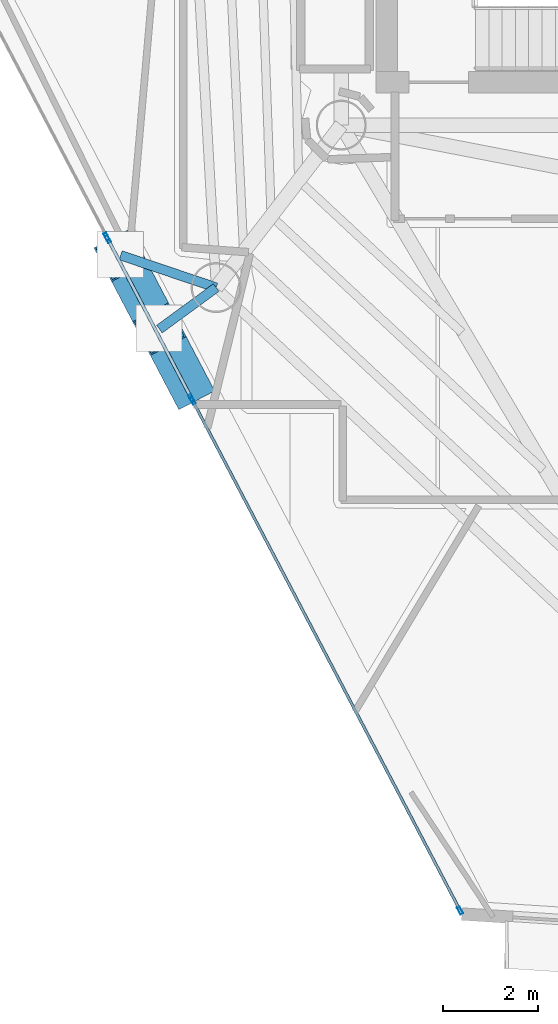
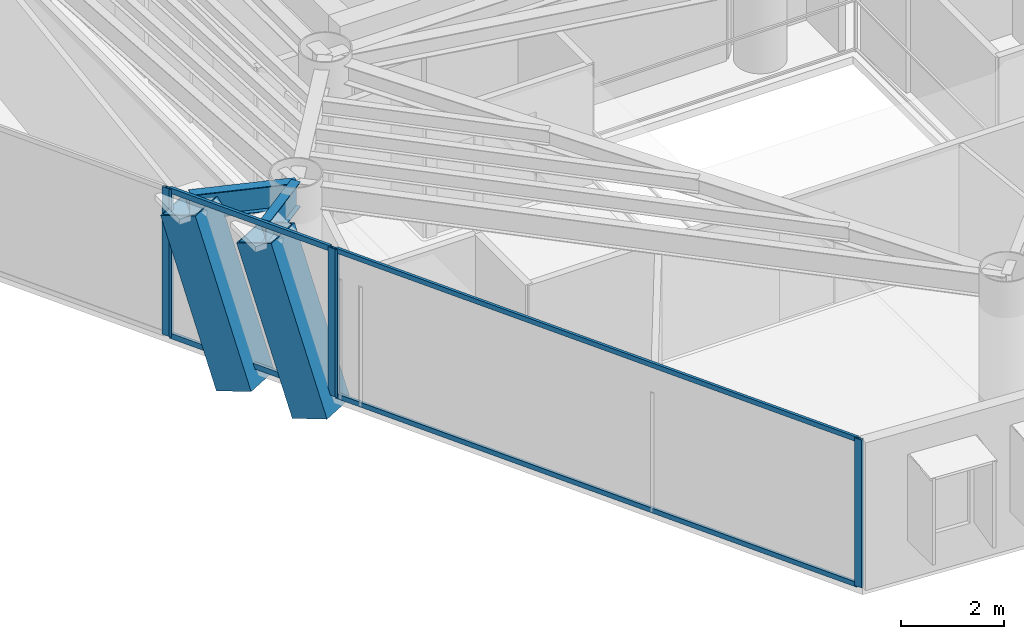
# One storey, part 2 of 18: 11 members, 2 beams, 3 elements without a shape of their own.
"""IFC4 building model written with IfcOpenShell, lengths in metres."""

from ifc_helpers import new_model, si_unit, direction, frame, origin, origin_2d, place, context, subcontext, project, spatial, hollow_rectangle, i_section, extrude, material, layer, layer_set, material_profile, profile_set, type_object, element, aggregate, save


model = new_model("IFC4")

# Units and contexts
model_context = context("Model", 3, precision=1e-05, world=origin(), true_north=direction((0.0, 1.0)))
body_context = subcontext(model_context, "Body", "Model", "MODEL_VIEW")
ifc_project = project(units=[si_unit("LENGTHUNIT", "METRE"), si_unit("AREAUNIT", "SQUARE_METRE"), si_unit("VOLUMEUNIT", "CUBIC_METRE"), si_unit("PLANEANGLEUNIT", "RADIAN"), si_unit("MASSUNIT", "GRAM", prefix="KILO")], contexts=[model_context])

# Site, building, storey
site_placement = place(None, origin())
site = spatial("IfcSite", under=ifc_project, at=site_placement, CompositionType="ELEMENT")
building_placement = place(site_placement, origin())
building = spatial("IfcBuilding", under=site, at=building_placement, Name="Qianvela Tower", CompositionType="ELEMENT")
storey_placement = place(building_placement, frame((0.0, 0.0, 264.89990234375)))
storey = spatial("IfcBuildingStorey", under=building, at=storey_placement, Name="L68", CompositionType="ELEMENT", Elevation=264.89990234375)

# Beams
ifc_material_1 = material(Name="Steel Q355B", Category="steel")
ifc_material_profile_1 = material_profile(ifc_material_1, i_section(OverallWidth=0.199951171875, OverallDepth=0.60009765625, WebThickness=0.010986328125, FlangeThickness=0.01708984375, at=origin_2d()), Name="HN600x200x11x17")
ifc_profile_set_1 = profile_set([ifc_material_profile_1], Name="Steel Q355B")
beam_type = type_object("IfcBeamType", Name="BM-HN600-GIRD", PredefinedType="BEAM", material=ifc_profile_set_1)
beam_1_placement = place(storey_placement, frame((25.971923828125, 20.43701171875, 3.218017578125), z_axis=(-0.947267135408, 0.320444962787, 0.0), x_axis=(-0.320444962787, -0.947267135408, 0.0)))
element("IfcBeam", 1, at=beam_1_placement, inside=storey, type_object=beam_type, Name="L68 Mega-Brace Column Tie Bracket F2-1", PredefinedType="BEAM", context=body_context, shape_type="SweptSolid", body=[
    extrude(i_section(OverallWidth=0.199951171875, OverallDepth=0.60009765625, WebThickness=0.010986328125, FlangeThickness=0.01708984375, at=origin_2d()), origin(), (0.0, 0.0, 1.0), 2.1171875),
])
beam_2_placement = place(storey_placement, frame((25.971923828125, 20.43701171875, 3.218017578125), z_axis=(-0.806536335226, -0.591184522767, 0.0), x_axis=(0.591184522767, -0.806536335226, 0.0)))
element("IfcBeam", 2, at=beam_2_placement, inside=storey, type_object=beam_type, Name="L68 Mega-Brace Column Tie Bracket F2-2", PredefinedType="BEAM", context=body_context, shape_type="SweptSolid", body=[
    extrude(i_section(OverallWidth=0.199951171875, OverallDepth=0.60009765625, WebThickness=0.010986328125, FlangeThickness=0.01708984375, at=origin_2d()), origin(), (0.0, 0.0, 1.0), 1.477294921875),
])

# Curtain wall, members
ifc_material_2 = material(Name="Anodised Architectural Aluminium and Insulated Spandrel Panel", Category="aluminium")
ifc_layer_1 = layer(ifc_material_2, 0.179931640625)
ifc_layer_set_1 = layer_set([ifc_layer_1], Name="Anodised Architectural Aluminium and Insulated Spandrel Panel")
curtain_wall_type_1 = type_object("IfcCurtainWallType", Name="CW-BRACEBAY", PredefinedType="USERDEFINED", material=ifc_layer_set_1)
curtain_wall_1_placement = place(storey_placement, origin())
curtain_wall_1 = element("IfcCurtainWall", 3, at=curtain_wall_1_placement, inside=storey, type_object=curtain_wall_type_1, Name="L68 CW-BRACEBAY Curtain Wall 04B", ObjectType="CURTAIN_WALL_SYSTEM", PredefinedType="USERDEFINED")
ifc_material_3 = material(Name="Anodised Architectural Aluminium 6063-T6", Category="aluminium")
ifc_material_profile_2 = material_profile(ifc_material_3, hollow_rectangle(XDim=0.06494140625, YDim=0.159912109375, WallThickness=0.0048828125, at=origin_2d()), Name="ALU-MULL-65x160")
ifc_profile_set_2 = profile_set([ifc_material_profile_2], Name="Anodised Architectural Aluminium 6063-T6")
member_type_1 = type_object("IfcMemberType", Name="CW-BRACEBAY-MULL", PredefinedType="MULLION", material=ifc_profile_set_2)
member_1_placement = place(storey_placement, frame((23.69921875, 21.452880859375, 0.0), z_axis=(0.0, 0.0, 1.0), x_axis=(0.885547225342, 0.464549364104, 0.0)))
member_1 = element("IfcMember", 4, at=member_1_placement, type_object=member_type_1, Name="CW-9 mullion 1", PredefinedType="MULLION", context=body_context, shape_type="SweptSolid", body=[
    extrude(hollow_rectangle(XDim=0.06494140625, YDim=0.159912109375, WallThickness=0.0048828125, at=origin_2d()), origin(), (0.0, 0.0, 1.0), 3.52001953125),
])
member_2_placement = place(storey_placement, frame((25.447998046875, 18.118896484375, 0.0), z_axis=(0.0, 0.0, 1.0), x_axis=(0.885547225342, 0.464549364104, 0.0)))
member_2 = element("IfcMember", 5, at=member_2_placement, type_object=member_type_1, Name="CW-9 mullion 2", PredefinedType="MULLION", context=body_context, shape_type="SweptSolid", body=[
    extrude(hollow_rectangle(XDim=0.06494140625, YDim=0.159912109375, WallThickness=0.0048828125, at=origin_2d()), origin(), (0.0, 0.0, 1.0), 3.52001953125),
])
ifc_material_4 = material(Name="Anodised Architectural Aluminium 6063-T6", Category="aluminium")
ifc_material_profile_3 = material_profile(ifc_material_4, hollow_rectangle(XDim=0.06494140625, YDim=0.1298828125, WallThickness=0.00439453125, at=origin_2d()), Name="ALU-TRAN-65x130")
ifc_profile_set_3 = profile_set([ifc_material_profile_3], Name="Anodised Architectural Aluminium 6063-T6")
member_type_2 = type_object("IfcMemberType", Name="CW-BRACEBAY-TRAN", PredefinedType="USERDEFINED", material=ifc_profile_set_3)
member_3_placement = place(storey_placement, frame((23.714111328125, 21.424072265625, 0.03271484375), z_axis=(0.464601108433, -0.885520078848, 0.0), x_axis=(0.885520078848, 0.464601108433, 0.0)))
member_3 = element("IfcMember", 6, at=member_3_placement, type_object=member_type_2, Name="CW-9 transom 1.1", ObjectType="TRANSOM", PredefinedType="USERDEFINED", context=body_context, shape_type="SweptSolid", body=[
    extrude(hollow_rectangle(XDim=0.06494140625, YDim=0.1298828125, WallThickness=0.00439453125, at=origin_2d()), origin(), (0.0, 0.0, 1.0), 3.699951171875),
])
member_4_placement = place(storey_placement, frame((23.714111328125, 21.424072265625, 3.487548828125), z_axis=(0.464601108433, -0.885520078848, 0.0), x_axis=(0.885520078848, 0.464601108433, 0.0)))
member_4 = element("IfcMember", 7, at=member_4_placement, type_object=member_type_2, Name="CW-9 transom 1.2", ObjectType="TRANSOM", PredefinedType="USERDEFINED", context=body_context, shape_type="SweptSolid", body=[
    extrude(hollow_rectangle(XDim=0.06494140625, YDim=0.1298828125, WallThickness=0.00439453125, at=origin_2d()), origin(), (0.0, 0.0, 1.0), 3.699951171875),
])
aggregate(curtain_wall_1, [member_1, member_2, member_3, member_4])

# Curtain wall, member
ifc_material_5 = material(Name="Anodised Architectural Aluminium and Low-E Glass", Category="aluminium")
ifc_layer_2 = layer(ifc_material_5, 0.159912109375)
ifc_layer_set_2 = layer_set([ifc_layer_2], Name="Anodised Architectural Aluminium and Low-E Glass")
curtain_wall_type_2 = type_object("IfcCurtainWallType", Name="CW-COLIV-Z56", PredefinedType="USERDEFINED", material=ifc_layer_set_2)
curtain_wall_2_placement = place(storey_placement, origin())
curtain_wall_2 = element("IfcCurtainWall", 8, at=curtain_wall_2_placement, inside=storey, type_object=curtain_wall_type_2, Name="L68 CW-COLIV-Z56 Curtain Wall 04A", ObjectType="CURTAIN_WALL_SYSTEM", PredefinedType="USERDEFINED")
ifc_material_6 = material(Name="Anodised Architectural Aluminium 6063-T6", Category="aluminium")
ifc_material_profile_4 = material_profile(ifc_material_6, hollow_rectangle(XDim=0.06494140625, YDim=0.159912109375, WallThickness=0.0048828125, at=origin_2d()), Name="ALU-MULL-65x160")
ifc_profile_set_4 = profile_set([ifc_material_profile_4], Name="Anodised Architectural Aluminium 6063-T6")
member_type_3 = type_object("IfcMemberType", Name="CW-COLIV-Z56-MULL", PredefinedType="MULLION", material=ifc_profile_set_4)
member_5_placement = place(storey_placement, frame((23.6689453125, 21.510498046875, 0.0), z_axis=(0.0, 0.0, 1.0), x_axis=(0.885555322761, 0.464533928071, 0.0)))
member_5 = element("IfcMember", 9, at=member_5_placement, type_object=member_type_3, Name="CW-5 mullion 2", PredefinedType="MULLION", context=body_context, shape_type="SweptSolid", body=[
    extrude(hollow_rectangle(XDim=0.06494140625, YDim=0.159912109375, WallThickness=0.0048828125, at=origin_2d()), origin(), (0.0, 0.0, 1.0), 3.52001953125),
])
aggregate(curtain_wall_2, [member_5])

# Curtain wall, members
curtain_wall_3_placement = place(storey_placement, origin())
curtain_wall_3 = element("IfcCurtainWall", 10, at=curtain_wall_3_placement, inside=storey, type_object=curtain_wall_type_2, Name="L68 CW-COLIV-Z56 Curtain Wall 04C", ObjectType="CURTAIN_WALL_SYSTEM", PredefinedType="USERDEFINED")
member_6_placement = place(storey_placement, frame((25.478271484375, 18.061279296875, 0.0), z_axis=(0.0, 0.0, 1.0), x_axis=(0.885554765579, 0.464534990244, 0.0)))
member_6 = element("IfcMember", 11, at=member_6_placement, type_object=member_type_3, Name="CW-5 mullion 1", PredefinedType="MULLION", context=body_context, shape_type="SweptSolid", body=[
    extrude(hollow_rectangle(XDim=0.06494140625, YDim=0.159912109375, WallThickness=0.0048828125, at=origin_2d()), origin(), (0.0, 0.0, 1.0), 3.52001953125),
])
member_7_placement = place(storey_placement, frame((31.098388671875, 7.347412109375, 0.0), z_axis=(0.0, 0.0, 1.0), x_axis=(0.885554765579, 0.464534990244, 0.0)))
member_7 = element("IfcMember", 12, at=member_7_placement, type_object=member_type_3, Name="CW-5 mullion 2", PredefinedType="MULLION", context=body_context, shape_type="SweptSolid", body=[
    extrude(hollow_rectangle(XDim=0.06494140625, YDim=0.159912109375, WallThickness=0.0048828125, at=origin_2d()), origin(), (0.0, 0.0, 1.0), 3.52001953125),
])
ifc_material_7 = material(Name="Anodised Architectural Aluminium 6063-T6", Category="aluminium")
ifc_material_profile_5 = material_profile(ifc_material_7, hollow_rectangle(XDim=0.06005859375, YDim=0.114990234375, WallThickness=0.00390625, at=origin_2d()), Name="ALU-TRAN-60x115")
ifc_profile_set_5 = profile_set([ifc_material_profile_5], Name="Anodised Architectural Aluminium 6063-T6")
member_type_4 = type_object("IfcMemberType", Name="CW-COLIV-Z56-TRAN", PredefinedType="USERDEFINED", material=ifc_profile_set_5)
member_8_placement = place(storey_placement, frame((25.493408203125, 18.032470703125, 0.030029296875), z_axis=(0.464544408509, -0.885549824981, 0.0), x_axis=(0.885549824981, 0.464544408509, 0.0)))
member_8 = element("IfcMember", 13, at=member_8_placement, type_object=member_type_4, Name="CW-5 transom 1.1", ObjectType="TRANSOM", PredefinedType="USERDEFINED", context=body_context, shape_type="SweptSolid", body=[
    extrude(hollow_rectangle(XDim=0.06005859375, YDim=0.114990234375, WallThickness=0.00390625, at=origin_2d()), origin(), (0.0, 0.0, 1.0), 12.033447265625),
])
member_9_placement = place(storey_placement, frame((25.493408203125, 18.032470703125, 3.489990234375), z_axis=(0.464544408509, -0.885549824981, 0.0), x_axis=(0.885549824981, 0.464544408509, 0.0)))
member_9 = element("IfcMember", 14, at=member_9_placement, type_object=member_type_4, Name="CW-5 transom 1.2", ObjectType="TRANSOM", PredefinedType="USERDEFINED", context=body_context, shape_type="SweptSolid", body=[
    extrude(hollow_rectangle(XDim=0.06005859375, YDim=0.114990234375, WallThickness=0.00390625, at=origin_2d()), origin(), (0.0, 0.0, 1.0), 12.033447265625),
])
aggregate(curtain_wall_3, [member_6, member_7, member_8, member_9])

# Members
ifc_material_8 = material(Name="Steel Q420GJC", Category="steel")
ifc_material_profile_6 = material_profile(ifc_material_8, hollow_rectangle(XDim=0.85009765625, YDim=0.85009765625, WallThickness=0.031982421875, at=origin_2d()), Name="MBOX-850x850x32")
ifc_profile_set_6 = profile_set([ifc_material_profile_6], Name="Steel Q420GJC")
member_type_5 = type_object("IfcMemberType", Name="MBR-MBRACE-850", PredefinedType="BRACE", material=ifc_profile_set_6)
for number, where, z_axis, x_axis, name in (
    (15, (24.564453125, 19.9755859375, -0.48193359375), (-0.152685443554, 0.290974831001, 0.944468529412), (-0.885493500833, -0.464651762056, 0.0), "L68 Tier 11 Exterior Mega-Brace F2A"),
    (16, (25.37841796875, 18.423828125, -0.48193359375), (-0.152624574966, 0.290977599231, 0.944477514747), (-0.885571527531, -0.464503035109, 0.0), "L68 Tier 11 Exterior Mega-Brace F2B"),
):
    element("IfcMember", number, at=place(storey_placement, frame(where, z_axis=z_axis, x_axis=x_axis)), inside=storey, type_object=member_type_5, Name=name, PredefinedType="BRACE", context=body_context, shape_type="SweptSolid", body=[
        extrude(hollow_rectangle(XDim=0.85009765625, YDim=0.85009765625, WallThickness=0.031982421875, at=origin_2d()), origin(), (0.0, 0.0, 1.0), 3.91748046875),
    ])

save(model, "model.ifc")
